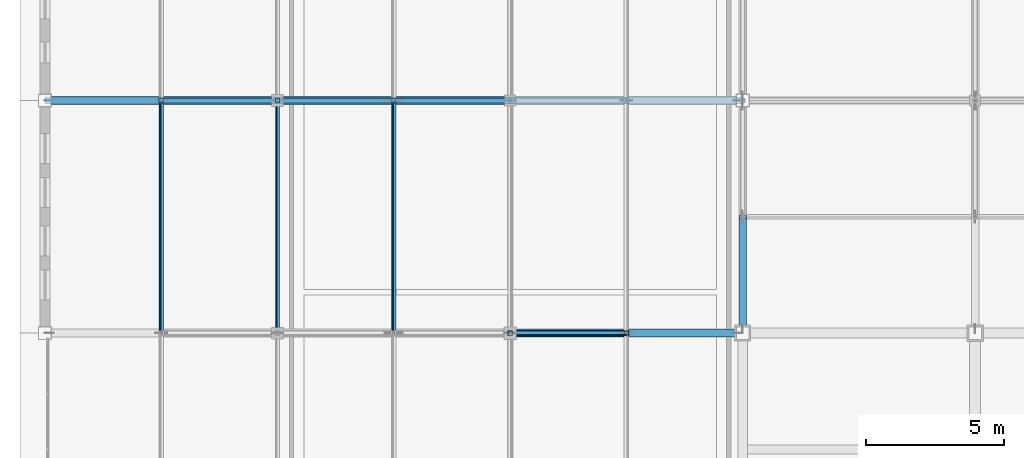
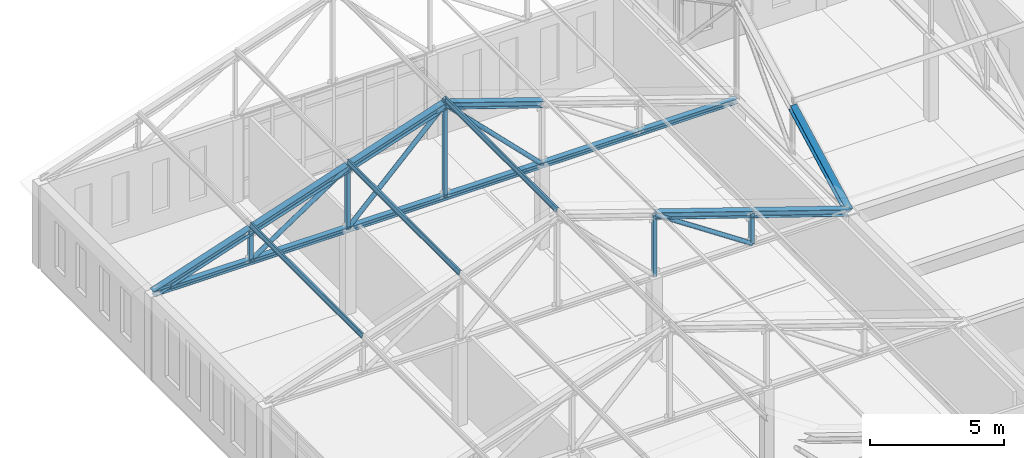
# One storey, part 15 of 56: 20 members.
"""IFC4 building model written with IfcOpenShell, lengths in metres."""

from ifc_helpers import new_model, si_unit, direction, frame, origin, origin_2d, place, context, subcontext, project, spatial, hollow_rectangle, hollow_circle, i_section, extrude, material, material_profile, profile_set, type_object, element, save


model = new_model("IFC4")

# Units and contexts
model_context = context("Model", 3, precision=1e-05, world=origin(), true_north=direction((0.0, 1.0)))
body_context = subcontext(model_context, "Body", "Model", "MODEL_VIEW")
ifc_project = project(units=[si_unit("LENGTHUNIT", "METRE"), si_unit("AREAUNIT", "SQUARE_METRE"), si_unit("VOLUMEUNIT", "CUBIC_METRE"), si_unit("PLANEANGLEUNIT", "RADIAN"), si_unit("MASSUNIT", "GRAM", prefix="KILO")], contexts=[model_context])

# Site, building, storey
site_placement = place(None, origin())
site = spatial("IfcSite", under=ifc_project, at=site_placement, CompositionType="ELEMENT")
building_placement = place(site_placement, origin())
building = spatial("IfcBuilding", under=site, at=building_placement, Name="Kveldsbrygga Polytechnic", CompositionType="ELEMENT")
storey_placement = place(building_placement, frame((0.0, 0.0, 18.02001953125)))
storey = spatial("IfcBuildingStorey", under=building, at=storey_placement, Name="L04", CompositionType="ELEMENT", Elevation=18.02001953125)

# Members
ifc_material = material(Name="Steel S355", Category="steel")
ifc_material_profile_1 = material_profile(ifc_material, i_section(OverallWidth=0.10009765625, OverallDepth=0.199951171875, WebThickness=0.005615234375, FlangeThickness=0.008544921875, FilletRadius=0.011962890625, at=origin_2d()), Name="IPE 200")
ifc_profile_set_1 = profile_set([ifc_material_profile_1], Name="Steel S355")
member_type_1 = type_object("IfcMemberType", Name="PRL-IPE200", PredefinedType="PURLIN", material=ifc_profile_set_1)
for number, where, z_axis, x_axis, name in (
    (1, (105.0, 100.800048828125, 5.438232421875), (0.0, 1.0, 0.0), (-0.948683567514, 0.0, 0.316226957624), "Roof Purlin V4NE5-PRL-3-1"),
    (2, (109.199951171875, 100.800048828125, 6.838134765625), (0.0, 1.0, 0.0), (-0.948683567514, 0.0, 0.316226957624), "Roof Purlin V4NE5-PRL-3-2"),
    (3, (113.39990234375, 100.800048828125, 8.23828125), (0.0, 1.0, 0.0), (-0.948683567514, 0.0, 0.316226957624), "Roof Purlin V4NE5-PRL-3-3"),
):
    element("IfcMember", number, at=place(storey_placement, frame(where, z_axis=z_axis, x_axis=x_axis)), inside=storey, type_object=member_type_1, Name=name, PredefinedType="PURLIN", context=body_context, shape_type="SweptSolid", body=[
        extrude(i_section(OverallWidth=0.10009765625, OverallDepth=0.199951171875, WebThickness=0.005615234375, FlangeThickness=0.008544921875, FilletRadius=0.011962890625, at=origin_2d()), origin(), (0.0, 0.0, 1.0), 8.39990234375),
    ])
ifc_material_profile_2 = material_profile(ifc_material, i_section(OverallWidth=0.239990234375, OverallDepth=0.22998046875, WebThickness=0.007568359375, FlangeThickness=0.011962890625, FilletRadius=0.02099609375, at=origin_2d()), Name="HEA 240")
ifc_profile_set_2 = profile_set([ifc_material_profile_2], Name="Steel S355")
member_type_2 = type_object("IfcMemberType", Name="TR-BOT-HEA240", PredefinedType="CHORD", material=ifc_profile_set_2)
member_1_placement = place(storey_placement, frame((100.800048828125, 109.199951171875, 3.780029296875), z_axis=(1.0, 0.0, 0.0), x_axis=(0.0, 1.0, 0.0)))
element("IfcMember", 4, at=member_1_placement, inside=storey, type_object=member_type_2, Name="Truss Bottom Chord V4NE5-T04-BC-1", PredefinedType="CHORD", context=body_context, shape_type="SweptSolid", body=[
    extrude(i_section(OverallWidth=0.239990234375, OverallDepth=0.22998046875, WebThickness=0.007568359375, FlangeThickness=0.011962890625, FilletRadius=0.02099609375, at=origin_2d()), origin(), (0.0, 0.0, 1.0), 25.199951171875),
])
ifc_material_profile_3 = material_profile(ifc_material, hollow_circle(Radius=0.096923828125, WallThickness=0.010009765625, at=origin_2d()), Name="CHS 193.7x10.0")
ifc_profile_set_3 = profile_set([ifc_material_profile_3], Name="Steel S355")
member_type_3 = type_object("IfcMemberType", Name="TR-DIAG-CHS194", PredefinedType="BRACE", material=ifc_profile_set_3)
for number, where, z_axis, x_axis, name in (
    (5, (117.60009765625, 100.800048828125, 6.580078125), (0.832042853317, 0.0, -0.554711357594), (0.0, 1.0, 0.0), "Truss Diagonal V4NE5-T03-DG-5"),
    (6, (105.0, 109.199951171875, 3.780029296875), (0.832042853317, 0.0, 0.554711357594), (0.0, 1.0, 0.0), "Truss Diagonal V4NE5-T04-DG-2"),
):
    element("IfcMember", number, at=place(storey_placement, frame(where, z_axis=z_axis, x_axis=x_axis)), inside=storey, type_object=member_type_3, Name=name, PredefinedType="BRACE", context=body_context, shape_type="SweptSolid", body=[
        extrude(hollow_circle(Radius=0.096923828125, WallThickness=0.010009765625, at=origin_2d()), origin(), (0.0, 0.0, 1.0), 5.0478515625),
    ])
for number, where, z_axis, x_axis, name in (
    (7, (109.199951171875, 109.199951171875, 3.780029296875), (0.707106781187, 0.0, 0.707106781187), (0.0, 1.0, 0.0), "Truss Diagonal V4NE5-T04-DG-3"),
    (8, (113.39990234375, 109.199951171875, 7.97998046875), (0.707127332136, 0.0, -0.70708622964), (0.0, 1.0, 0.0), "Truss Diagonal V4NE5-T04-DG-4"),
):
    element("IfcMember", number, at=place(storey_placement, frame(where, z_axis=z_axis, x_axis=x_axis)), inside=storey, type_object=member_type_3, Name=name, PredefinedType="BRACE", context=body_context, shape_type="SweptSolid", body=[
        extrude(hollow_circle(Radius=0.096923828125, WallThickness=0.010009765625, at=origin_2d()), origin(), (0.0, 0.0, 1.0), 5.939697265625),
    ])
ifc_material_profile_4 = material_profile(ifc_material, hollow_rectangle(XDim=0.159912109375, YDim=0.159912109375, WallThickness=0.010009765625, at=origin_2d()), Name="SHS 160x160x10.0")
ifc_profile_set_4 = profile_set([ifc_material_profile_4], Name="Steel S355")
member_type_4 = type_object("IfcMemberType", Name="TR-POST-SHS160", PredefinedType="STRUT", material=ifc_profile_set_4)
member_2_placement = place(storey_placement, frame((117.60009765625, 100.800048828125, 3.780029296875), z_axis=(0.0, 0.0, 1.0), x_axis=(1.0, 0.0, 0.0)))
element("IfcMember", 9, at=member_2_placement, inside=storey, type_object=member_type_4, Name="Truss Vertical V4NE5-T03-VT-4", PredefinedType="STRUT", context=body_context, shape_type="SweptSolid", body=[
    extrude(hollow_rectangle(XDim=0.159912109375, YDim=0.159912109375, WallThickness=0.010009765625, at=origin_2d()), origin(), (0.0, 0.0, 1.0), 2.800048828125),
])
for number, where, z_axis, x_axis, name in (
    (10, (121.800048828125, 100.800048828125, 3.780029296875), (0.0, 0.0, 1.0), (1.0, 0.0, 0.0), "Truss Vertical V4NE5-T03-VT-5"),
    (11, (105.0, 109.199951171875, 3.780029296875), (0.0, 0.0, 1.0), (1.0, 0.0, 0.0), "Truss Vertical V4NE5-T04-VT-1"),
):
    element("IfcMember", number, at=place(storey_placement, frame(where, z_axis=z_axis, x_axis=x_axis)), inside=storey, type_object=member_type_4, Name=name, PredefinedType="STRUT", context=body_context, shape_type="SweptSolid", body=[
        extrude(hollow_rectangle(XDim=0.159912109375, YDim=0.159912109375, WallThickness=0.010009765625, at=origin_2d()), origin(), (0.0, 0.0, 1.0), 1.39990234375),
    ])
member_3_placement = place(storey_placement, frame((109.199951171875, 109.199951171875, 3.780029296875), z_axis=(0.0, 0.0, 1.0), x_axis=(1.0, 0.0, 0.0)))
element("IfcMember", 12, at=member_3_placement, inside=storey, type_object=member_type_4, Name="Truss Vertical V4NE5-T04-VT-2", PredefinedType="STRUT", context=body_context, shape_type="SweptSolid", body=[
    extrude(hollow_rectangle(XDim=0.159912109375, YDim=0.159912109375, WallThickness=0.010009765625, at=origin_2d()), origin(), (0.0, 0.0, 1.0), 2.800048828125),
])
member_4_placement = place(storey_placement, frame((113.39990234375, 109.199951171875, 3.780029296875), z_axis=(0.0, 0.0, 1.0), x_axis=(1.0, 0.0, 0.0)))
element("IfcMember", 13, at=member_4_placement, inside=storey, type_object=member_type_4, Name="Truss Vertical V4NE5-T04-VT-3", PredefinedType="STRUT", context=body_context, shape_type="SweptSolid", body=[
    extrude(hollow_rectangle(XDim=0.159912109375, YDim=0.159912109375, WallThickness=0.010009765625, at=origin_2d()), origin(), (0.0, 0.0, 1.0), 4.458251953125),
])
ifc_material_profile_5 = material_profile(ifc_material, i_section(OverallWidth=0.300048828125, OverallDepth=0.2900390625, WebThickness=0.008544921875, FlangeThickness=0.013916015625, FilletRadius=0.027099609375, at=origin_2d()), Name="HEA 300")
ifc_profile_set_5 = profile_set([ifc_material_profile_5], Name="Steel S355")
member_type_5 = type_object("IfcMemberType", Name="TR-TOP-HEA300", PredefinedType="CHORD", material=ifc_profile_set_5)
member_5_placement = place(storey_placement, frame((117.60009765625, 100.800048828125, 6.580078125), z_axis=(0.948672268324, 0.0, -0.316260853272), x_axis=(0.0, 1.0, 0.0)))
element("IfcMember", 14, at=member_5_placement, inside=storey, type_object=member_type_5, Name="Truss Top Chord V4NE5-T03-TC-5", PredefinedType="CHORD", context=body_context, shape_type="SweptSolid", body=[
    extrude(i_section(OverallWidth=0.300048828125, OverallDepth=0.2900390625, WebThickness=0.008544921875, FlangeThickness=0.013916015625, FilletRadius=0.027099609375, at=origin_2d()), origin(), (0.0, 0.0, 1.0), 4.42724609375),
])
for number, where, z_axis, x_axis, name in (
    (15, (121.800048828125, 100.800048828125, 5.179931640625), (0.948688812577, 0.0, -0.316211221956), (0.0, 1.0, 0.0), "Truss Top Chord V4NE5-T03-TC-6"),
    (16, (100.800048828125, 109.199951171875, 3.780029296875), (0.948688812577, 0.0, 0.316211221956), (0.0, 1.0, 0.0), "Truss Top Chord V4NE5-T04-TC-1"),
):
    element("IfcMember", number, at=place(storey_placement, frame(where, z_axis=z_axis, x_axis=x_axis)), inside=storey, type_object=member_type_5, Name=name, PredefinedType="CHORD", context=body_context, shape_type="SweptSolid", body=[
        extrude(i_section(OverallWidth=0.300048828125, OverallDepth=0.2900390625, WebThickness=0.008544921875, FlangeThickness=0.013916015625, FilletRadius=0.027099609375, at=origin_2d()), origin(), (0.0, 0.0, 1.0), 4.427001953125),
    ])
member_6_placement = place(storey_placement, frame((105.0, 109.199951171875, 5.179931640625), z_axis=(0.948672268324, 0.0, 0.316260853272), x_axis=(0.0, 1.0, 0.0)))
element("IfcMember", 17, at=member_6_placement, inside=storey, type_object=member_type_5, Name="Truss Top Chord V4NE5-T04-TC-2", PredefinedType="CHORD", context=body_context, shape_type="SweptSolid", body=[
    extrude(i_section(OverallWidth=0.300048828125, OverallDepth=0.2900390625, WebThickness=0.008544921875, FlangeThickness=0.013916015625, FilletRadius=0.027099609375, at=origin_2d()), origin(), (0.0, 0.0, 1.0), 4.42724609375),
])
member_7_placement = place(storey_placement, frame((109.199951171875, 109.199951171875, 6.580078125), z_axis=(0.948688812577, 0.0, 0.316211221956), x_axis=(0.0, 1.0, 0.0)))
element("IfcMember", 18, at=member_7_placement, inside=storey, type_object=member_type_5, Name="Truss Top Chord V4NE5-T04-TC-3", PredefinedType="CHORD", context=body_context, shape_type="SweptSolid", body=[
    extrude(i_section(OverallWidth=0.300048828125, OverallDepth=0.2900390625, WebThickness=0.008544921875, FlangeThickness=0.013916015625, FilletRadius=0.027099609375, at=origin_2d()), origin(), (0.0, 0.0, 1.0), 4.427001953125),
])
member_8_placement = place(storey_placement, frame((113.39990234375, 109.199951171875, 7.97998046875), z_axis=(0.948694326238, 0.0, -0.316194679531), x_axis=(0.0, 1.0, 0.0)))
element("IfcMember", 19, at=member_8_placement, inside=storey, type_object=member_type_5, Name="Truss Top Chord V4NE5-T04-TC-4", PredefinedType="CHORD", context=body_context, shape_type="SweptSolid", body=[
    extrude(i_section(OverallWidth=0.300048828125, OverallDepth=0.2900390625, WebThickness=0.008544921875, FlangeThickness=0.013916015625, FilletRadius=0.027099609375, at=origin_2d()), origin(), (0.0, 0.0, 1.0), 4.42724609375),
])
ifc_material_profile_6 = material_profile(ifc_material, i_section(OverallWidth=0.280029296875, OverallDepth=0.280029296875, WebThickness=0.010498046875, FlangeThickness=0.01806640625, FilletRadius=0.02392578125, at=origin_2d()), Name="HEB 280")
ifc_profile_set_6 = profile_set([ifc_material_profile_6], Name="Steel S355")
member_type_6 = type_object("IfcMemberType", Name="TR-TOP-HEB280", PredefinedType="CHORD", material=ifc_profile_set_6)
member_9_placement = place(storey_placement, frame((126.0, 100.800048828125, 3.780029296875), z_axis=(0.0, 0.883670438028, 0.468109556574), x_axis=(-1.0, 0.0, 0.0)))
element("IfcMember", 20, at=member_9_placement, inside=storey, type_object=member_type_6, Name="Truss Top Chord V4N5-T01-TC-1", PredefinedType="CHORD", context=body_context, shape_type="SweptSolid", body=[
    extrude(i_section(OverallWidth=0.280029296875, OverallDepth=0.280029296875, WebThickness=0.010498046875, FlangeThickness=0.01806640625, FilletRadius=0.02392578125, at=origin_2d()), origin(), (0.0, 0.0, 1.0), 4.7529296875),
])

save(model, "model.ifc")
